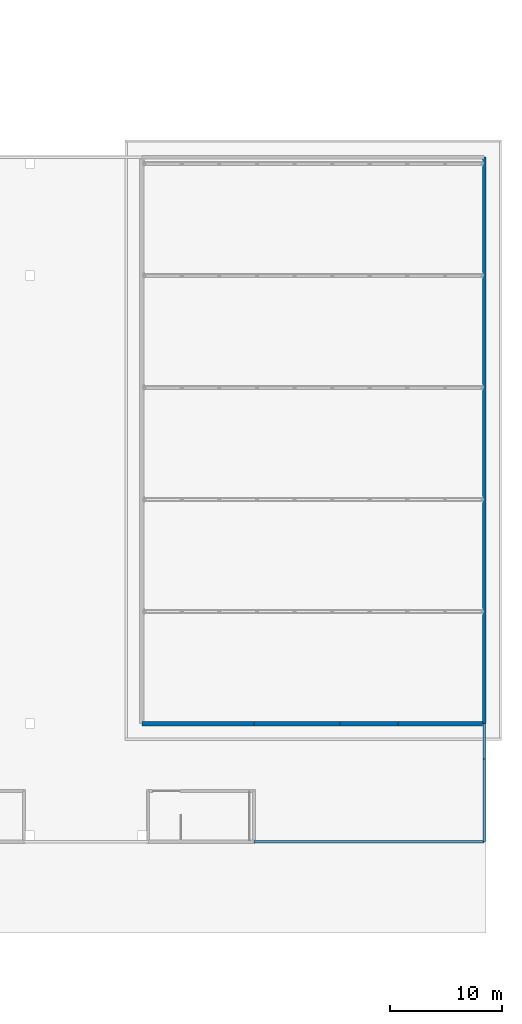
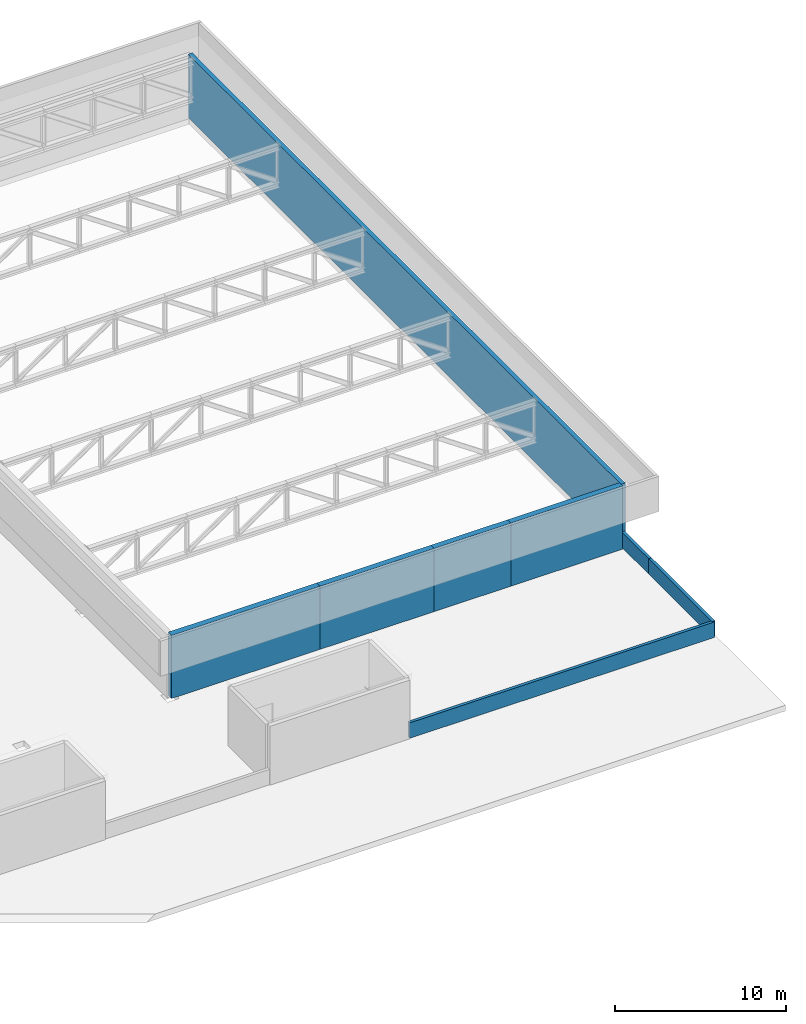
# One storey, part 24 of 31: 8 walls.
"""IFC4 building model written with IfcOpenShell, lengths in metres."""

from ifc_helpers import new_model, si_unit, direction, frame, frame_2d, origin, place, context, subcontext, project, spatial, rectangle, extrude, material, layer, layer_set, type_object, element, save


model = new_model("IFC4")

# Units and contexts
model_context = context("Model", 3, precision=1e-05, world=origin(), true_north=direction((0.0, 1.0)))
body_context = subcontext(model_context, "Body", "Model", "MODEL_VIEW")
ifc_project = project(units=[si_unit("LENGTHUNIT", "METRE"), si_unit("AREAUNIT", "SQUARE_METRE"), si_unit("VOLUMEUNIT", "CUBIC_METRE"), si_unit("PLANEANGLEUNIT", "RADIAN"), si_unit("MASSUNIT", "GRAM", prefix="KILO")], contexts=[model_context])

# Site, building, storey
site_placement = place(None, origin())
site = spatial("IfcSite", under=ifc_project, at=site_placement, CompositionType="ELEMENT")
building_placement = place(site_placement, origin())
building = spatial("IfcBuilding", under=site, at=building_placement, Name="Jabali Bay Hotel Tower and Convention Centre", CompositionType="ELEMENT")
storey_placement = place(building_placement, frame((0.0, 0.0, 25.39990234375)))
storey = spatial("IfcBuildingStorey", under=building, at=storey_placement, Name="L04", CompositionType="ELEMENT", Elevation=25.39990234375)

# Walls
ifc_material = material(Name="Concrete C40", Category="concrete")
ifc_layer_1 = layer(ifc_material, 0.300048828125)
ifc_layer_set_1 = layer_set([ifc_layer_1], Name="Concrete C40")
wall_type_1 = type_object("IfcWallType", Name="CC External Wall 300", PredefinedType="SOLIDWALL", material=ifc_layer_set_1)
wall_1_placement = place(storey_placement, frame((251.25, 60.0, 0.0), z_axis=(0.0, 0.0, 1.0), x_axis=(0.0, 1.0, 0.0)))
element("IfcWall", 1, at=wall_1_placement, inside=storey, type_object=wall_type_1, Name="CC plenary clerestory wall", PredefinedType="SOLIDWALL", context=body_context, shape_type="SweptSolid", body=[
    extrude(rectangle(XDim=50.550048828125, YDim=0.300048828125, at=frame_2d((25.27490234375, 0.0))), origin(), (0.0, 0.0, 1.0), 4.5),
])
ifc_layer_2 = layer(ifc_material, 0.39990234375)
ifc_layer_set_2 = layer_set([ifc_layer_2], Name="Concrete C40")
wall_type_2 = type_object("IfcWallType", Name="CC Hall Wall 400", PredefinedType="SHEAR", material=ifc_layer_set_2)
wall_2_placement = place(storey_placement, frame((220.699951171875, 60.0, 0.0), z_axis=(0.0, 0.0, 1.0), x_axis=(1.0, 0.0, 0.0)))
element("IfcWall", 2, at=wall_2_placement, inside=storey, type_object=wall_type_2, Name="CC plenary clerestory wall", PredefinedType="SHEAR", context=body_context, shape_type="SweptSolid", body=[
    extrude(rectangle(XDim=10.0, YDim=0.39990234375, at=frame_2d((5.0, 0.0))), origin(), (0.0, 0.0, 1.0), 4.5),
])
wall_3_placement = place(storey_placement, frame((230.699951171875, 60.0, 0.0), z_axis=(0.0, 0.0, 1.0), x_axis=(1.0, 0.0, 0.0)))
element("IfcWall", 3, at=wall_3_placement, inside=storey, type_object=wall_type_2, Name="CC plenary clerestory wall", PredefinedType="SHEAR", context=body_context, shape_type="SweptSolid", body=[
    extrude(rectangle(XDim=7.699951171875, YDim=0.39990234375, at=frame_2d((3.85009765625, 0.0))), origin(), (0.0, 0.0, 1.0), 4.5),
])
wall_4_placement = place(storey_placement, frame((238.39990234375, 60.0, 0.0), z_axis=(0.0, 0.0, 1.0), x_axis=(1.0, 0.0, 0.0)))
element("IfcWall", 4, at=wall_4_placement, inside=storey, type_object=wall_type_2, Name="CC plenary clerestory wall", PredefinedType="SHEAR", context=body_context, shape_type="SweptSolid", body=[
    extrude(rectangle(XDim=5.175048828125, YDim=0.39990234375, at=frame_2d((2.58740234375, 0.0))), origin(), (0.0, 0.0, 1.0), 4.5),
])
wall_5_placement = place(storey_placement, frame((243.574951171875, 60.0, 0.0), z_axis=(0.0, 0.0, 1.0), x_axis=(1.0, 0.0, 0.0)))
element("IfcWall", 5, at=wall_5_placement, inside=storey, type_object=wall_type_2, Name="CC plenary clerestory wall", PredefinedType="SHEAR", context=body_context, shape_type="SweptSolid", body=[
    extrude(rectangle(XDim=7.525146484375, YDim=0.39990234375, at=frame_2d((3.7626953125, 0.0))), origin(), (0.0, 0.0, 1.0), 4.5),
])
ifc_layer_3 = layer(ifc_material, 0.199951171875)
ifc_layer_set_3 = layer_set([ifc_layer_3], Name="Concrete C40")
wall_type_3 = type_object("IfcWallType", Name="CC Parapet 200", PredefinedType="PARAPET", material=ifc_layer_set_3)
wall_6_placement = place(storey_placement, frame((230.699951171875, 49.449951171875, 0.0), z_axis=(0.0, 0.0, 1.0), x_axis=(1.0, 0.0, 0.0)))
element("IfcWall", 6, at=wall_6_placement, inside=storey, type_object=wall_type_3, Name="CC roof parapet", PredefinedType="PARAPET", context=body_context, shape_type="SweptSolid", body=[
    extrude(rectangle(XDim=20.550048828125, YDim=0.199951171875, at=frame_2d((10.27490234375, 0.0))), origin(), (0.0, 0.0, 1.0), 1.10009765625),
])
wall_7_placement = place(storey_placement, frame((251.25, 49.449951171875, 0.0), z_axis=(0.0, 0.0, 1.0), x_axis=(0.0, 1.0, 0.0)))
element("IfcWall", 7, at=wall_7_placement, inside=storey, type_object=wall_type_3, Name="CC roof parapet", PredefinedType="PARAPET", context=body_context, shape_type="SweptSolid", body=[
    extrude(rectangle(XDim=7.400146484375, YDim=0.199951171875, at=frame_2d((3.7001953125, 0.0))), origin(), (0.0, 0.0, 1.0), 1.10009765625),
])
wall_8_placement = place(storey_placement, frame((251.25, 56.85009765625, 0.0), z_axis=(0.0, 0.0, 1.0), x_axis=(0.0, 1.0, 0.0)))
element("IfcWall", 8, at=wall_8_placement, inside=storey, type_object=wall_type_3, Name="CC roof parapet", PredefinedType="PARAPET", context=body_context, shape_type="SweptSolid", body=[
    extrude(rectangle(XDim=3.14990234375, YDim=0.199951171875, at=frame_2d((1.574951171875, 0.0))), origin(), (0.0, 0.0, 1.0), 1.10009765625),
])

save(model, "model.ifc")
